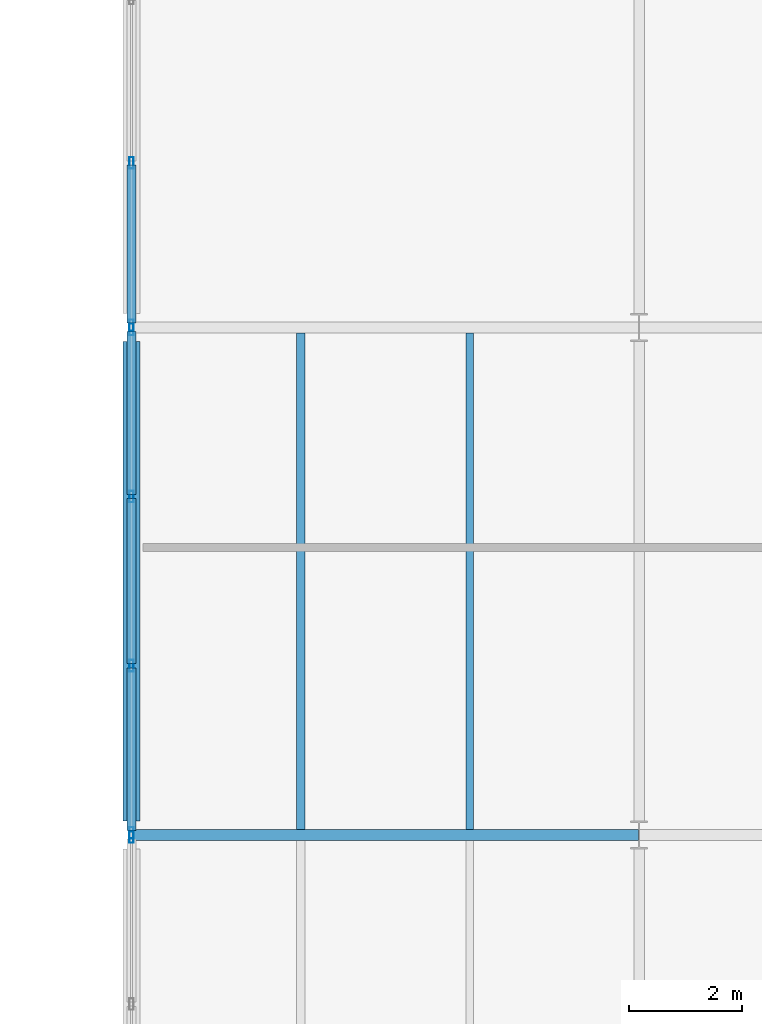
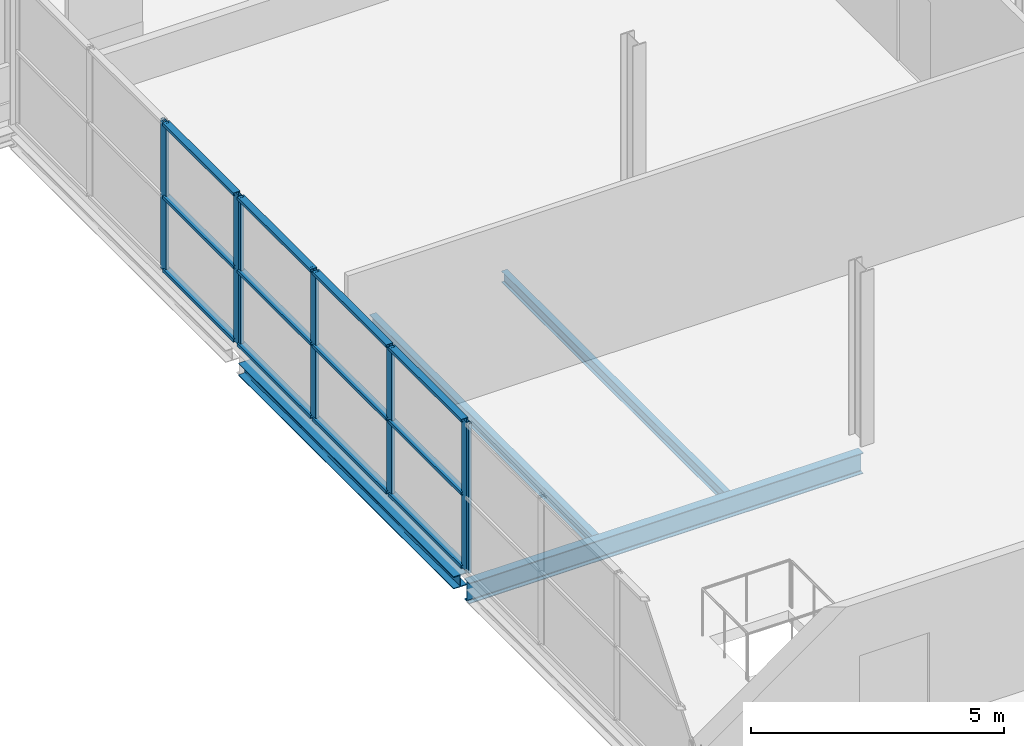
# One storey, part 27 of 88: 19 members, 4 beams, 3 elements without a shape of their own.
"""IFC4 building model written with IfcOpenShell, lengths in metres."""

from ifc_helpers import new_model, si_unit, direction, frame, origin, origin_2d, place, context, subcontext, project, spatial, hollow_rectangle, i_section, extrude, material, layer, layer_set, material_profile, profile_set, type_object, element, aggregate, save


model = new_model("IFC4")

# Units and contexts
model_context = context("Model", 3, precision=1e-05, world=origin(), true_north=direction((0.0, 1.0)))
body_context = subcontext(model_context, "Body", "Model", "MODEL_VIEW")
ifc_project = project(units=[si_unit("LENGTHUNIT", "METRE"), si_unit("AREAUNIT", "SQUARE_METRE"), si_unit("VOLUMEUNIT", "CUBIC_METRE"), si_unit("PLANEANGLEUNIT", "RADIAN"), si_unit("MASSUNIT", "GRAM", prefix="KILO")], contexts=[model_context])

# Site, building, storey
site_placement = place(None, origin())
site = spatial("IfcSite", under=ifc_project, at=site_placement, CompositionType="ELEMENT")
building_placement = place(site_placement, origin())
building = spatial("IfcBuilding", under=site, at=building_placement, Name="Deido Ridge Mobility Hub", CompositionType="ELEMENT")
storey_placement = place(building_placement, frame((0.0, 0.0, 16.800048828125)))
storey = spatial("IfcBuildingStorey", under=building, at=storey_placement, Name="L04", CompositionType="ELEMENT", Elevation=16.800048828125)

# Beams
ifc_material_1 = material(Name="Steel S355J2 EN 10025-2", Category="steel")
ifc_material_profile_1 = material_profile(ifc_material_1, i_section(OverallWidth=0.199951171875, OverallDepth=0.5, WebThickness=0.01025390625, FlangeThickness=0.01611328125, FilletRadius=0.02099609375, at=origin_2d()), Name="IPE 500")
ifc_profile_set_1 = profile_set([ifc_material_profile_1], Name="Steel S355J2 EN 10025-2")
beam_type_1 = type_object("IfcBeamType", Name="BM-IPE500", PredefinedType="BEAM", material=ifc_profile_set_1)
beam_1_placement = place(storey_placement, frame((54.007080078125, 63.0, -0.525146484375), z_axis=(1.0, 0.0, 0.0), x_axis=(0.0, 1.0, 0.0)))
element("IfcBeam", 1, at=beam_1_placement, inside=storey, type_object=beam_type_1, Name="Floor beam B3", PredefinedType="BEAM", context=body_context, shape_type="SweptSolid", body=[
    extrude(i_section(OverallWidth=0.199951171875, OverallDepth=0.5, WebThickness=0.01025390625, FlangeThickness=0.01611328125, FilletRadius=0.02099609375, at=origin_2d()), origin(), (0.0, 0.0, 1.0), 8.98583984375),
])
ifc_material_profile_2 = material_profile(ifc_material_1, i_section(OverallWidth=0.135009765625, OverallDepth=0.27001953125, WebThickness=0.006591796875, FlangeThickness=0.01025390625, FilletRadius=0.014892578125, at=origin_2d()), Name="IPE 270")
ifc_profile_set_2 = profile_set([ifc_material_profile_2], Name="Steel S355J2 EN 10025-2")
beam_type_2 = type_object("IfcBeamType", Name="JST-IPE270", PredefinedType="JOIST", material=ifc_profile_set_2)
beam_2_placement = place(storey_placement, frame((60.0, 63.10009765625, -0.41015625), z_axis=(0.0, 1.0, 0.0), x_axis=(-1.0, 0.0, 0.0)))
element("IfcBeam", 2, at=beam_2_placement, inside=storey, type_object=beam_type_2, Name="Composite joist J4", PredefinedType="JOIST", context=body_context, shape_type="SweptSolid", body=[
    extrude(i_section(OverallWidth=0.135009765625, OverallDepth=0.27001953125, WebThickness=0.006591796875, FlangeThickness=0.01025390625, FilletRadius=0.014892578125, at=origin_2d()), origin(), (0.0, 0.0, 1.0), 8.7998046875),
])
ifc_material_profile_3 = material_profile(ifc_material_1, i_section(OverallWidth=0.14990234375, OverallDepth=0.300048828125, WebThickness=0.007080078125, FlangeThickness=0.0107421875, FilletRadius=0.014892578125, at=origin_2d()), Name="IPE 300")
ifc_profile_set_3 = profile_set([ifc_material_profile_3], Name="Steel S355J2 EN 10025-2")
beam_type_3 = type_object("IfcBeamType", Name="JST-IPE300", PredefinedType="JOIST", material=ifc_profile_set_3)
beam_3_placement = place(storey_placement, frame((57.0, 63.10009765625, -0.425048828125), z_axis=(0.0, 1.0, 0.0), x_axis=(-1.0, 0.0, 0.0)))
element("IfcBeam", 3, at=beam_3_placement, inside=storey, type_object=beam_type_3, Name="Composite joist J3", PredefinedType="JOIST", context=body_context, shape_type="SweptSolid", body=[
    extrude(i_section(OverallWidth=0.14990234375, OverallDepth=0.300048828125, WebThickness=0.007080078125, FlangeThickness=0.0107421875, FilletRadius=0.014892578125, at=origin_2d()), origin(), (0.0, 0.0, 1.0), 8.7998046875),
])

# Curtain wall, member
ifc_material_2 = material(Name="Anodised aluminium EN AW-6063 T6", Category="aluminium")
ifc_layer = layer(ifc_material_2, 0.239990234375, Name="Anodised aluminium EN AW-6063 T6")
ifc_layer_set = layer_set([ifc_layer], Name="Anodised aluminium EN AW-6063 T6")
curtain_wall_type = type_object("IfcCurtainWallType", Name="CW-UF-6", PredefinedType="USERDEFINED", material=ifc_layer_set)
curtain_wall_1_placement = place(storey_placement, origin())
curtain_wall_1 = element("IfcCurtainWall", 4, at=curtain_wall_1_placement, inside=storey, type_object=curtain_wall_type, Name="Unitised curtain wall CW6", ObjectType="UNITISED FACADE", PredefinedType="USERDEFINED")
ifc_material_profile_4 = material_profile(ifc_material_2, hollow_rectangle(XDim=0.074951171875, YDim=0.205078125, WallThickness=0.00390625, at=origin_2d()), Name="RHS 75x205x4")
ifc_profile_set_4 = profile_set([ifc_material_profile_4], Name="Anodised aluminium EN AW-6063 T6")
member_type_1 = type_object("IfcMemberType", Name="MEM-MUL-75X205", PredefinedType="MULLION", material=ifc_profile_set_4)
member_1_placement = place(storey_placement, frame((54.0, 62.96240234375, 0.0), z_axis=(0.0, 0.0, 1.0), x_axis=(-1.0, 0.0, 0.0)))
member_1 = element("IfcMember", 5, at=member_1_placement, type_object=member_type_1, Name="CW6 mullion 4", PredefinedType="MULLION", context=body_context, shape_type="SweptSolid", body=[
    extrude(hollow_rectangle(XDim=0.074951171875, YDim=0.205078125, WallThickness=0.00390625, at=origin_2d()), origin(), (0.0, 0.0, 1.0), 3.599853515625),
])
aggregate(curtain_wall_1, [member_1])

# Curtain wall, members
curtain_wall_2_placement = place(storey_placement, origin())
curtain_wall_2 = element("IfcCurtainWall", 6, at=curtain_wall_2_placement, inside=storey, type_object=curtain_wall_type, Name="Unitised curtain wall CW6", ObjectType="UNITISED FACADE", PredefinedType="USERDEFINED")
member_2_placement = place(storey_placement, frame((54.0, 63.03759765625, 0.0), z_axis=(0.0, 0.0, 1.0), x_axis=(-1.0, 0.0, 0.0)))
member_2 = element("IfcMember", 7, at=member_2_placement, type_object=member_type_1, Name="CW6 mullion 1", PredefinedType="MULLION", context=body_context, shape_type="SweptSolid", body=[
    extrude(hollow_rectangle(XDim=0.074951171875, YDim=0.205078125, WallThickness=0.00390625, at=origin_2d()), origin(), (0.0, 0.0, 1.0), 3.599853515625),
])
member_3_placement = place(storey_placement, frame((54.0, 66.0, 0.0), z_axis=(0.0, 0.0, 1.0), x_axis=(-1.0, 0.0, 0.0)))
member_3 = element("IfcMember", 8, at=member_3_placement, type_object=member_type_1, Name="CW6 mullion 2", PredefinedType="MULLION", context=body_context, shape_type="SweptSolid", body=[
    extrude(hollow_rectangle(XDim=0.074951171875, YDim=0.205078125, WallThickness=0.00390625, at=origin_2d()), origin(), (0.0, 0.0, 1.0), 3.599853515625),
])
member_4_placement = place(storey_placement, frame((54.0, 69.0, 0.0), z_axis=(0.0, 0.0, 1.0), x_axis=(-1.0, 0.0, 0.0)))
member_4 = element("IfcMember", 9, at=member_4_placement, type_object=member_type_1, Name="CW6 mullion 3", PredefinedType="MULLION", context=body_context, shape_type="SweptSolid", body=[
    extrude(hollow_rectangle(XDim=0.074951171875, YDim=0.205078125, WallThickness=0.00390625, at=origin_2d()), origin(), (0.0, 0.0, 1.0), 3.599853515625),
])
member_5_placement = place(storey_placement, frame((54.0, 71.96240234375, 0.0), z_axis=(0.0, 0.0, 1.0), x_axis=(-1.0, 0.0, 0.0)))
member_5 = element("IfcMember", 10, at=member_5_placement, type_object=member_type_1, Name="CW6 mullion 4", PredefinedType="MULLION", context=body_context, shape_type="SweptSolid", body=[
    extrude(hollow_rectangle(XDim=0.074951171875, YDim=0.205078125, WallThickness=0.00390625, at=origin_2d()), origin(), (0.0, 0.0, 1.0), 3.599853515625),
])

curtain_wall_3_placement = place(storey_placement, origin())
curtain_wall_3 = element("IfcCurtainWall", 11, at=curtain_wall_3_placement, inside=storey, type_object=curtain_wall_type, Name="Unitised curtain wall CW6", ObjectType="UNITISED FACADE", PredefinedType="USERDEFINED")
member_6_placement = place(storey_placement, frame((54.0, 72.03759765625, 0.0), z_axis=(0.0, 0.0, 1.0), x_axis=(-1.0, 0.0, 0.0)))
member_6 = element("IfcMember", 12, at=member_6_placement, type_object=member_type_1, Name="CW6 mullion 1", PredefinedType="MULLION", context=body_context, shape_type="SweptSolid", body=[
    extrude(hollow_rectangle(XDim=0.074951171875, YDim=0.205078125, WallThickness=0.00390625, at=origin_2d()), origin(), (0.0, 0.0, 1.0), 3.599853515625),
])
member_7_placement = place(storey_placement, frame((54.0, 74.916748046875, 0.0), z_axis=(0.0, 0.0, 1.0), x_axis=(-1.0, 0.0, 0.0)))
member_7 = element("IfcMember", 13, at=member_7_placement, type_object=member_type_1, Name="CW6 mullion 2", PredefinedType="MULLION", context=body_context, shape_type="SweptSolid", body=[
    extrude(hollow_rectangle(XDim=0.074951171875, YDim=0.205078125, WallThickness=0.00390625, at=origin_2d()), origin(), (0.0, 0.0, 1.0), 3.599853515625),
])

# Member
ifc_material_profile_5 = material_profile(ifc_material_2, hollow_rectangle(XDim=0.155029296875, YDim=0.074951171875, WallThickness=0.00390625, at=origin_2d()), Name="RHS 155x75x4")
ifc_profile_set_5 = profile_set([ifc_material_profile_5], Name="Anodised aluminium EN AW-6063 T6")
member_type_2 = type_object("IfcMemberType", Name="MEM-TRN-155X75", PredefinedType="USERDEFINED", material=ifc_profile_set_5)
member_8_placement = place(storey_placement, frame((54.0, 63.074951171875, 0.037353515625), z_axis=(0.0, 1.0, 0.0), x_axis=(-1.0, 0.0, 0.0)))
member_8 = element("IfcMember", 14, at=member_8_placement, type_object=member_type_2, Name="CW6 transom 1.1", ObjectType="TRANSOM", PredefinedType="USERDEFINED", context=body_context, shape_type="SweptSolid", body=[
    extrude(hollow_rectangle(XDim=0.155029296875, YDim=0.074951171875, WallThickness=0.00390625, at=origin_2d()), origin(), (0.0, 0.0, 1.0), 2.887451171875),
])

member_9_placement = place(storey_placement, frame((54.0, 63.074951171875, 1.800048828125), z_axis=(0.0, 1.0, 0.0), x_axis=(-1.0, 0.0, 0.0)))
member_9 = element("IfcMember", 15, at=member_9_placement, type_object=member_type_2, Name="CW6 transom 1.2", ObjectType="TRANSOM", PredefinedType="USERDEFINED", context=body_context, shape_type="SweptSolid", body=[
    extrude(hollow_rectangle(XDim=0.155029296875, YDim=0.074951171875, WallThickness=0.00390625, at=origin_2d()), origin(), (0.0, 0.0, 1.0), 2.887451171875),
])

member_10_placement = place(storey_placement, frame((54.0, 63.074951171875, 3.5625), z_axis=(0.0, 1.0, 0.0), x_axis=(-1.0, 0.0, 0.0)))
member_10 = element("IfcMember", 16, at=member_10_placement, type_object=member_type_2, Name="CW6 transom 1.3", ObjectType="TRANSOM", PredefinedType="USERDEFINED", context=body_context, shape_type="SweptSolid", body=[
    extrude(hollow_rectangle(XDim=0.155029296875, YDim=0.074951171875, WallThickness=0.00390625, at=origin_2d()), origin(), (0.0, 0.0, 1.0), 2.887451171875),
])

member_11_placement = place(storey_placement, frame((54.0, 66.03759765625, 0.037353515625), z_axis=(0.0, 1.0, 0.0), x_axis=(-1.0, 0.0, 0.0)))
member_11 = element("IfcMember", 17, at=member_11_placement, type_object=member_type_2, Name="CW6 transom 2.1", ObjectType="TRANSOM", PredefinedType="USERDEFINED", context=body_context, shape_type="SweptSolid", body=[
    extrude(hollow_rectangle(XDim=0.155029296875, YDim=0.074951171875, WallThickness=0.00390625, at=origin_2d()), origin(), (0.0, 0.0, 1.0), 2.9248046875),
])

member_12_placement = place(storey_placement, frame((54.0, 66.03759765625, 1.800048828125), z_axis=(0.0, 1.0, 0.0), x_axis=(-1.0, 0.0, 0.0)))
member_12 = element("IfcMember", 18, at=member_12_placement, type_object=member_type_2, Name="CW6 transom 2.2", ObjectType="TRANSOM", PredefinedType="USERDEFINED", context=body_context, shape_type="SweptSolid", body=[
    extrude(hollow_rectangle(XDim=0.155029296875, YDim=0.074951171875, WallThickness=0.00390625, at=origin_2d()), origin(), (0.0, 0.0, 1.0), 2.9248046875),
])

member_13_placement = place(storey_placement, frame((54.0, 66.03759765625, 3.5625), z_axis=(0.0, 1.0, 0.0), x_axis=(-1.0, 0.0, 0.0)))
member_13 = element("IfcMember", 19, at=member_13_placement, type_object=member_type_2, Name="CW6 transom 2.3", ObjectType="TRANSOM", PredefinedType="USERDEFINED", context=body_context, shape_type="SweptSolid", body=[
    extrude(hollow_rectangle(XDim=0.155029296875, YDim=0.074951171875, WallThickness=0.00390625, at=origin_2d()), origin(), (0.0, 0.0, 1.0), 2.9248046875),
])

member_14_placement = place(storey_placement, frame((54.0, 69.03759765625, 0.037353515625), z_axis=(0.0, 1.0, 0.0), x_axis=(-1.0, 0.0, 0.0)))
member_14 = element("IfcMember", 20, at=member_14_placement, type_object=member_type_2, Name="CW6 transom 3.1", ObjectType="TRANSOM", PredefinedType="USERDEFINED", context=body_context, shape_type="SweptSolid", body=[
    extrude(hollow_rectangle(XDim=0.155029296875, YDim=0.074951171875, WallThickness=0.00390625, at=origin_2d()), origin(), (0.0, 0.0, 1.0), 2.887451171875),
])

member_15_placement = place(storey_placement, frame((54.0, 69.03759765625, 1.800048828125), z_axis=(0.0, 1.0, 0.0), x_axis=(-1.0, 0.0, 0.0)))
member_15 = element("IfcMember", 21, at=member_15_placement, type_object=member_type_2, Name="CW6 transom 3.2", ObjectType="TRANSOM", PredefinedType="USERDEFINED", context=body_context, shape_type="SweptSolid", body=[
    extrude(hollow_rectangle(XDim=0.155029296875, YDim=0.074951171875, WallThickness=0.00390625, at=origin_2d()), origin(), (0.0, 0.0, 1.0), 2.887451171875),
])

member_16_placement = place(storey_placement, frame((54.0, 69.03759765625, 3.5625), z_axis=(0.0, 1.0, 0.0), x_axis=(-1.0, 0.0, 0.0)))
member_16 = element("IfcMember", 22, at=member_16_placement, type_object=member_type_2, Name="CW6 transom 3.3", ObjectType="TRANSOM", PredefinedType="USERDEFINED", context=body_context, shape_type="SweptSolid", body=[
    extrude(hollow_rectangle(XDim=0.155029296875, YDim=0.074951171875, WallThickness=0.00390625, at=origin_2d()), origin(), (0.0, 0.0, 1.0), 2.887451171875),
])

aggregate(curtain_wall_2, [member_2, member_3, member_4, member_5, member_8, member_9, member_10, member_11, member_12, member_13, member_14, member_15, member_16])

member_17_placement = place(storey_placement, frame((54.0, 72.074951171875, 0.037353515625), z_axis=(0.0, 1.0, 0.0), x_axis=(-1.0, 0.0, 0.0)))
member_17 = element("IfcMember", 23, at=member_17_placement, type_object=member_type_2, Name="CW6 transom 1.1", ObjectType="TRANSOM", PredefinedType="USERDEFINED", context=body_context, shape_type="SweptSolid", body=[
    extrude(hollow_rectangle(XDim=0.155029296875, YDim=0.074951171875, WallThickness=0.00390625, at=origin_2d()), origin(), (0.0, 0.0, 1.0), 2.80419921875),
])

member_18_placement = place(storey_placement, frame((54.0, 72.074951171875, 1.800048828125), z_axis=(0.0, 1.0, 0.0), x_axis=(-1.0, 0.0, 0.0)))
member_18 = element("IfcMember", 24, at=member_18_placement, type_object=member_type_2, Name="CW6 transom 1.2", ObjectType="TRANSOM", PredefinedType="USERDEFINED", context=body_context, shape_type="SweptSolid", body=[
    extrude(hollow_rectangle(XDim=0.155029296875, YDim=0.074951171875, WallThickness=0.00390625, at=origin_2d()), origin(), (0.0, 0.0, 1.0), 2.80419921875),
])

member_19_placement = place(storey_placement, frame((54.0, 72.074951171875, 3.5625), z_axis=(0.0, 1.0, 0.0), x_axis=(-1.0, 0.0, 0.0)))
member_19 = element("IfcMember", 25, at=member_19_placement, type_object=member_type_2, Name="CW6 transom 1.3", ObjectType="TRANSOM", PredefinedType="USERDEFINED", context=body_context, shape_type="SweptSolid", body=[
    extrude(hollow_rectangle(XDim=0.155029296875, YDim=0.074951171875, WallThickness=0.00390625, at=origin_2d()), origin(), (0.0, 0.0, 1.0), 2.80419921875),
])

aggregate(curtain_wall_3, [member_6, member_7, member_17, member_18, member_19])

# Beam
ifc_material_profile_6 = material_profile(ifc_material_1, i_section(OverallWidth=0.300048828125, OverallDepth=0.300048828125, WebThickness=0.010986328125, FlangeThickness=0.01904296875, FilletRadius=0.027099609375, at=origin_2d()), Name="HEB 300")
ifc_profile_set_6 = profile_set([ifc_material_profile_6], Name="Steel S355J2 EN 10025-2")
beam_type_4 = type_object("IfcBeamType", Name="SPD-HEB300", PredefinedType="SPANDREL", material=ifc_profile_set_6)
beam_4_placement = place(storey_placement, frame((54.0, 63.25, -0.425048828125), z_axis=(0.0, 1.0, 0.0), x_axis=(-1.0, 0.0, 0.0)))
element("IfcBeam", 26, at=beam_4_placement, inside=storey, type_object=beam_type_4, Name="Floor beam SP1", PredefinedType="SPANDREL", context=body_context, shape_type="SweptSolid", body=[
    extrude(i_section(OverallWidth=0.300048828125, OverallDepth=0.300048828125, WebThickness=0.010986328125, FlangeThickness=0.01904296875, FilletRadius=0.027099609375, at=origin_2d()), origin(), (0.0, 0.0, 1.0), 8.5),
])

save(model, "model.ifc")
